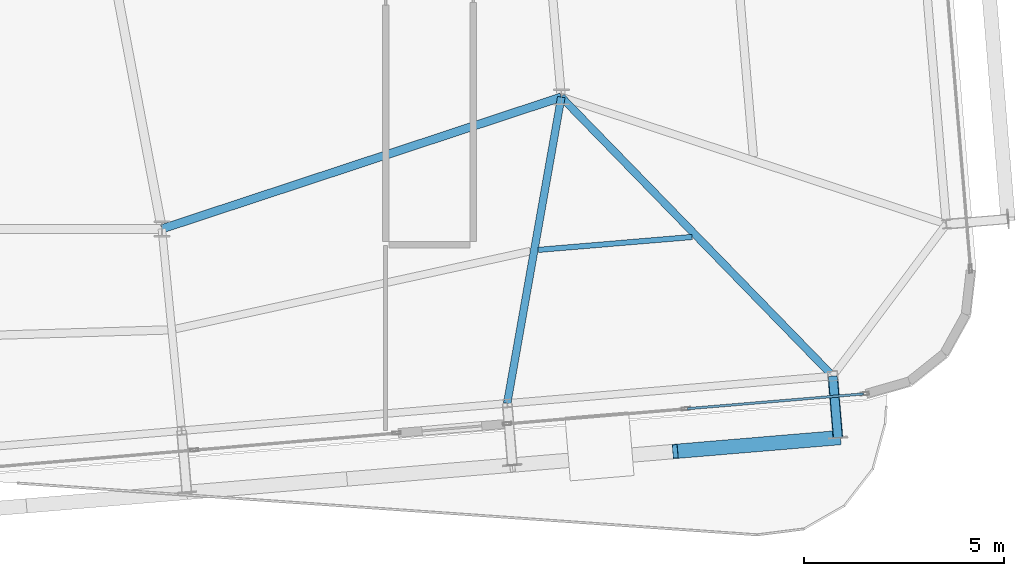
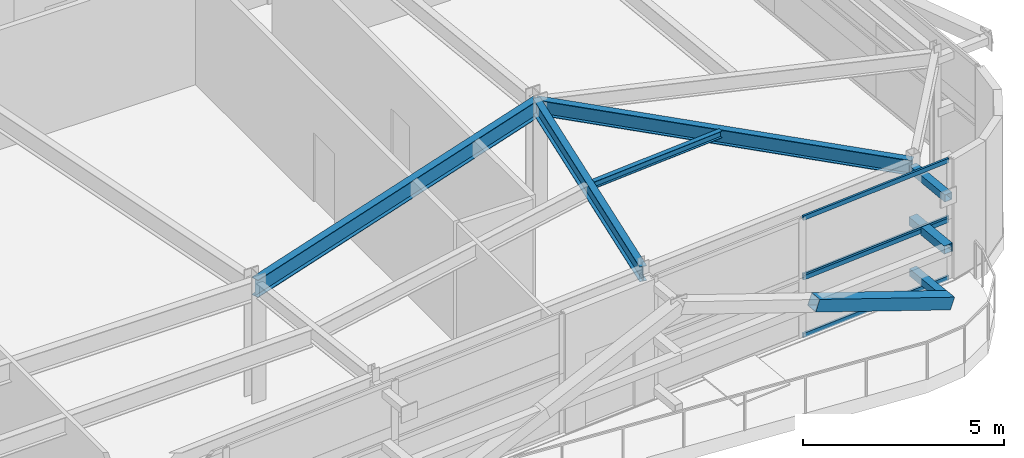
# One storey, part 15 of 38: 8 members, 4 beams, 2 elements without a shape of their own.
"""IFC4 building model written with IfcOpenShell, lengths in metres."""

from ifc_helpers import new_model, si_unit, direction, frame, origin, origin_2d, place, context, subcontext, project, spatial, hollow_rectangle, i_section, extrude, source, transform, mapped, material, layer, layer_set, material_profile, profile_set, type_object, element, aggregate, save


model = new_model("IFC4")

# Units and contexts
model_context = context("Model", 3, precision=1e-05, world=origin(), true_north=direction((0.0, 1.0)))
body_context = subcontext(model_context, "Body", "Model", "MODEL_VIEW")
ifc_project = project(units=[si_unit("LENGTHUNIT", "METRE"), si_unit("AREAUNIT", "SQUARE_METRE"), si_unit("VOLUMEUNIT", "CUBIC_METRE"), si_unit("PLANEANGLEUNIT", "RADIAN"), si_unit("MASSUNIT", "GRAM", prefix="KILO")], contexts=[model_context])

# Site, building, storey
site_placement = place(None, origin())
site = spatial("IfcSite", under=ifc_project, at=site_placement, CompositionType="ELEMENT")
building_placement = place(site_placement, origin())
building = spatial("IfcBuilding", under=site, at=building_placement, Name="Taldren Reach Tower", CompositionType="ELEMENT")
storey_placement = place(building_placement, frame((0.0, 0.0, 168.699951171875)))
storey = spatial("IfcBuildingStorey", under=building, at=storey_placement, Name="L51", CompositionType="ELEMENT", Elevation=168.699951171875)

# Beam
ifc_material_1 = material(Name="Steel Gr 350 (350PLUS)", Category="steel")
ifc_material_profile_1 = material_profile(ifc_material_1, i_section(OverallWidth=0.208984375, OverallDepth=0.532958984375, WebThickness=0.01025390625, FlangeThickness=0.015625, at=origin_2d()), Name="530UB92.4")
ifc_profile_set_1 = profile_set([ifc_material_profile_1], Name="Steel Gr 350 (350PLUS)")
beam_type_1 = type_object("IfcBeamType", Name="BM-UB530A", PredefinedType="BEAM", material=ifc_profile_set_1)
shared_shape_1 = source(origin(), body_context, "Body", "SweptSolid", [
    extrude(i_section(OverallWidth=0.208984375, OverallDepth=0.532958984375, WebThickness=0.01025390625, FlangeThickness=0.015625, at=origin_2d()), origin(), (0.0, 0.0, 1.0), 10.530517578125),
])
beam_1_placement = place(storey_placement, frame((42.0, 9.199951171875, 3.363525390625), z_axis=(0.949627269203, 0.313381635689, 0.0), x_axis=(-0.313381635689, 0.949627269203, 0.0)))
element("IfcBeam", 1, at=beam_1_placement, inside=storey, type_object=beam_type_1, Name="Core-spine girder L51-SP12", PredefinedType="BEAM", context=body_context, shape_type="MappedRepresentation", body=[
    mapped(shared_shape_1, transform((0.0, 0.0, 0.0), scale=1.0)),
])

# Member
ifc_material_2 = material(Name="Steel Gr 350 (C350L0)", Category="steel")
ifc_material_profile_2 = material_profile(ifc_material_2, hollow_rectangle(XDim=0.25, YDim=0.25, WallThickness=0.010009765625, at=origin_2d()), Name="250x250x10.0SHS")
ifc_profile_set_2 = profile_set([ifc_material_profile_2], Name="Steel Gr 350 (C350L0)")
member_type_1 = type_object("IfcMemberType", Name="MB-POST250", PredefinedType="POST", material=ifc_profile_set_2)
shared_shape_2 = source(origin(), body_context, "Body", "SweptSolid", [
    extrude(hollow_rectangle(XDim=0.25, YDim=0.25, WallThickness=0.010009765625, at=origin_2d()), origin(), (0.0, 0.0, 1.0), 1.5498046875),
])
member_1_placement = place(storey_placement, frame((58.796142578125, 5.516357421875, 1.78515625), z_axis=(0.083801560254, -0.996482462715, 0.0), x_axis=(0.996482462715, 0.083801560254, 0.0)))
element("IfcMember", 2, at=member_1_placement, inside=storey, type_object=member_type_1, Name="Exoskeleton mid-tier diaphragm tie B4-S6 L51", PredefinedType="POST", context=body_context, shape_type="MappedRepresentation", body=[
    mapped(shared_shape_2, transform((0.0, 0.0, 0.0), scale=1.0)),
])

# Beams
ifc_material_profile_3 = material_profile(ifc_material_1, i_section(OverallWidth=0.19091796875, OverallDepth=0.4599609375, WebThickness=0.010009765625, FlangeThickness=0.01611328125, at=origin_2d()), Name="460UB82.1")
ifc_profile_set_3 = profile_set([ifc_material_profile_3], Name="Steel Gr 350 (350PLUS)")
beam_type_2 = type_object("IfcBeamType", Name="BM-UB460A", PredefinedType="BEAM", material=ifc_profile_set_3)
shared_shape_3 = source(origin(), body_context, "Body", "SweptSolid", [
    extrude(i_section(OverallWidth=0.19091796875, OverallDepth=0.4599609375, WebThickness=0.010009765625, FlangeThickness=0.01611328125, at=origin_2d()), origin(), (0.0, 0.0, 1.0), 7.786865234375),
])
beam_2_placement = place(storey_placement, frame((52.0, 12.5, 3.400146484375), z_axis=(-0.174041097858, -0.984738389755, 0.0), x_axis=(0.984738389755, -0.174041097858, 0.0)))
element("IfcBeam", 3, at=beam_2_placement, inside=storey, type_object=beam_type_2, Name="Primary floor girder B4-S5 L51", PredefinedType="BEAM", context=body_context, shape_type="MappedRepresentation", body=[
    mapped(shared_shape_3, transform((0.0, 0.0, 0.0), scale=1.0)),
])
shared_shape_4 = source(origin(), body_context, "Body", "SweptSolid", [
    extrude(i_section(OverallWidth=0.19091796875, OverallDepth=0.4599609375, WebThickness=0.010009765625, FlangeThickness=0.01611328125, at=origin_2d()), origin(), (0.0, 0.0, 1.0), 9.74462890625),
])
beam_3_placement = place(storey_placement, frame((52.0, 12.5, 3.400146484375), z_axis=(0.697420698235, -0.716661963323, 0.0), x_axis=(0.716661963323, 0.697420698235, 0.0)))
element("IfcBeam", 4, at=beam_3_placement, inside=storey, type_object=beam_type_2, Name="Primary floor girder B4-S6 L51", PredefinedType="BEAM", context=body_context, shape_type="MappedRepresentation", body=[
    mapped(shared_shape_4, transform((0.0, 0.0, 0.0), scale=1.0)),
])
ifc_material_3 = material(Name="Steel Gr 300 (300PLUS, 300 MPa)", Category="steel")
ifc_material_profile_4 = material_profile(ifc_material_3, i_section(OverallWidth=0.134033203125, OverallDepth=0.20703125, WebThickness=0.00634765625, FlangeThickness=0.009521484375, at=origin_2d()), Name="200UB29.8")
ifc_profile_set_4 = profile_set([ifc_material_profile_4], Name="Steel Gr 300 (300PLUS, 300 MPa)")
beam_type_3 = type_object("IfcBeamType", Name="JS-UB200", PredefinedType="JOIST", material=ifc_profile_set_4)
shared_shape_5 = source(origin(), body_context, "Body", "SweptSolid", [
    extrude(i_section(OverallWidth=0.134033203125, OverallDepth=0.20703125, WebThickness=0.00634765625, FlangeThickness=0.009521484375, at=origin_2d()), origin(), (0.0, 0.0, 1.0), 3.86767578125),
])
beam_4_placement = place(storey_placement, frame((51.4208984375, 8.67431640625, 3.526611328125), z_axis=(0.996495950743, 0.083641019557, 0.0), x_axis=(-0.083641019557, 0.996495950743, 0.0)))
element("IfcBeam", 5, at=beam_4_placement, inside=storey, type_object=beam_type_3, Name="Secondary floor joist B4 J5 L51", PredefinedType="JOIST", context=body_context, shape_type="MappedRepresentation", body=[
    mapped(shared_shape_5, transform((0.0, 0.0, 0.0), scale=1.0)),
])

# Members
ifc_material_4 = material(Name="Steel Gr 450 (C450L0)", Category="steel")
ifc_material_profile_5 = material_profile(ifc_material_4, hollow_rectangle(XDim=0.219970703125, YDim=0.219970703125, WallThickness=0.00830078125, at=origin_2d()), Name="220x220x8.2SHS")
ifc_profile_set_5 = profile_set([ifc_material_profile_5], Name="Steel Gr 450 (C450L0)")
member_type_2 = type_object("IfcMemberType", Name="MB-TIE219", PredefinedType="STRUT", material=ifc_profile_set_5)
shared_shape_6 = source(origin(), body_context, "Body", "SweptSolid", [
    extrude(hollow_rectangle(XDim=0.219970703125, YDim=0.219970703125, WallThickness=0.00830078125, at=origin_2d()), origin(), (0.0, 0.0, 1.0), 1.5498046875),
])
for number, where, z_axis, x_axis, name in (
    (6, (58.796142578125, 5.516357421875, 3.35009765625), (0.083801560254, -0.996482462715, 0.0), (0.996482462715, 0.083801560254, 0.0), "Exoskeleton diaphragm tie strut B4-S6 L51"),
    (7, (58.796142578125, 5.516357421875, 0.219970703125), (0.083801560254, -0.996482462715, 0.0), (0.996482462715, 0.083801560254, 0.0), "Exoskeleton base diaphragm tie strut B4-S6 L51"),
):
    element("IfcMember", number, at=place(storey_placement, frame(where, z_axis=z_axis, x_axis=x_axis)), inside=storey, type_object=member_type_2, Name=name, PredefinedType="STRUT", context=body_context, shape_type="MappedRepresentation", body=[
        mapped(shared_shape_6, transform((0.0, 0.0, 0.0), scale=1.0)),
    ])
ifc_material_profile_6 = material_profile(ifc_material_4, hollow_rectangle(XDim=0.360107421875, YDim=0.360107421875, WallThickness=0.0126953125, at=origin_2d()), Name="360x360x12.7SHS")
ifc_profile_set_6 = profile_set([ifc_material_profile_6], Name="Steel Gr 450 (C450L0)")
member_type_3 = type_object("IfcMemberType", Name="MB-EXO356", PredefinedType="BRACE", material=ifc_profile_set_6)
shared_shape_7 = source(origin(), body_context, "Body", "SweptSolid", [
    extrude(hollow_rectangle(XDim=0.360107421875, YDim=0.360107421875, WallThickness=0.0126953125, at=origin_2d()), origin(), (0.0, 0.0, 1.0), 4.37939453125),
])
member_2_placement = place(storey_placement, frame((58.926025390625, 3.971923828125, 0.219970703125), z_axis=(-0.930672697263, -0.078160004886, 0.357406413212), x_axis=(0.083687662192, -0.996492034688, 0.0)))
element("IfcMember", 8, at=member_2_placement, inside=storey, type_object=member_type_3, Name="Exoskeleton Diagrid Brace B4-S5 L51", PredefinedType="BRACE", context=body_context, shape_type="MappedRepresentation", body=[
    mapped(shared_shape_7, transform((0.0, 0.0, 0.0), scale=1.0)),
])

# Curtain wall, members
ifc_material_5 = material(Name="Aluminium and Low-E Glass Unitised System", Category="aluminium")
ifc_layer = layer(ifc_material_5, 0.159912109375)
ifc_layer_set = layer_set([ifc_layer], Name="Aluminium and Low-E Glass Unitised System")
curtain_wall_type = type_object("IfcCurtainWallType", Name="CW-SYS-7", PredefinedType="NOTDEFINED", material=ifc_layer_set)
curtain_wall_1_placement = place(storey_placement, origin())
curtain_wall_1 = element("IfcCurtainWall", 9, at=curtain_wall_1_placement, inside=storey, type_object=curtain_wall_type, Name="Unitised curtain wall CW-L51-S2", PredefinedType="NOTDEFINED")
ifc_material_6 = material(Name="Anodised Aluminium 6063-T6", Category="aluminium")
ifc_material_profile_7 = material_profile(ifc_material_6, hollow_rectangle(XDim=0.06005859375, YDim=0.135009765625, WallThickness=0.00341796875, at=origin_2d()), Name="ALU-135x60x3.5RHS")
ifc_profile_set_7 = profile_set([ifc_material_profile_7], Name="Anodised Aluminium 6063-T6")
member_type_4 = type_object("IfcMemberType", Name="CW-TRN-150", PredefinedType="USERDEFINED", material=ifc_profile_set_7)
shared_shape_8 = source(origin(), body_context, "Body", "SweptSolid", [
    extrude(hollow_rectangle(XDim=0.06005859375, YDim=0.135009765625, WallThickness=0.00341796875, at=origin_2d()), origin(), (0.0, 0.0, 1.0), 4.41845703125),
])
member_3_placement = place(storey_placement, frame((55.158203125, 4.69921875, 0.030029296875), z_axis=(0.996494891974, 0.083653632739, 0.0), x_axis=(-0.083653632739, 0.996494891974, 0.0)))
member_3 = element("IfcMember", 10, at=member_3_placement, type_object=member_type_4, Name="CW-7 transom 2.1", ObjectType="TRANSOM", PredefinedType="USERDEFINED", context=body_context, shape_type="MappedRepresentation", body=[
    mapped(shared_shape_8, transform((0.0, 0.0, 0.0), scale=1.0)),
])
member_4_placement = place(storey_placement, frame((55.158203125, 4.69921875, 1.78515625), z_axis=(0.996494891974, 0.083653632739, 0.0), x_axis=(-0.083653632739, 0.996494891974, 0.0)))
member_4 = element("IfcMember", 11, at=member_4_placement, type_object=member_type_4, Name="CW-7 transom 2.2", ObjectType="TRANSOM", PredefinedType="USERDEFINED", context=body_context, shape_type="MappedRepresentation", body=[
    mapped(shared_shape_8, transform((0.0, 0.0, 0.0), scale=1.0)),
])
aggregate(curtain_wall_1, [member_3, member_4])

curtain_wall_2_placement = place(storey_placement, origin())
curtain_wall_2 = element("IfcCurtainWall", 12, at=curtain_wall_2_placement, inside=storey, type_object=curtain_wall_type, Name="Unitised curtain wall CW-L51-S2-T2", PredefinedType="NOTDEFINED")
member_5_placement = place(storey_placement, frame((55.158203125, 4.69921875, 1.844970703125), z_axis=(0.996494891974, 0.083653632739, 0.0), x_axis=(-0.083653632739, 0.996494891974, 0.0)))
member_5 = element("IfcMember", 13, at=member_5_placement, type_object=member_type_4, Name="CW-7 transom 2.1", ObjectType="TRANSOM", PredefinedType="USERDEFINED", context=body_context, shape_type="MappedRepresentation", body=[
    mapped(shared_shape_8, transform((0.0, 0.0, 0.0), scale=1.0)),
])
member_6_placement = place(storey_placement, frame((55.158203125, 4.69921875, 3.60009765625), z_axis=(0.996494891974, 0.083653632739, 0.0), x_axis=(-0.083653632739, 0.996494891974, 0.0)))
member_6 = element("IfcMember", 14, at=member_6_placement, type_object=member_type_4, Name="CW-7 transom 2.2", ObjectType="TRANSOM", PredefinedType="USERDEFINED", context=body_context, shape_type="MappedRepresentation", body=[
    mapped(shared_shape_8, transform((0.0, 0.0, 0.0), scale=1.0)),
])
aggregate(curtain_wall_2, [member_5, member_6])

save(model, "model.ifc")
